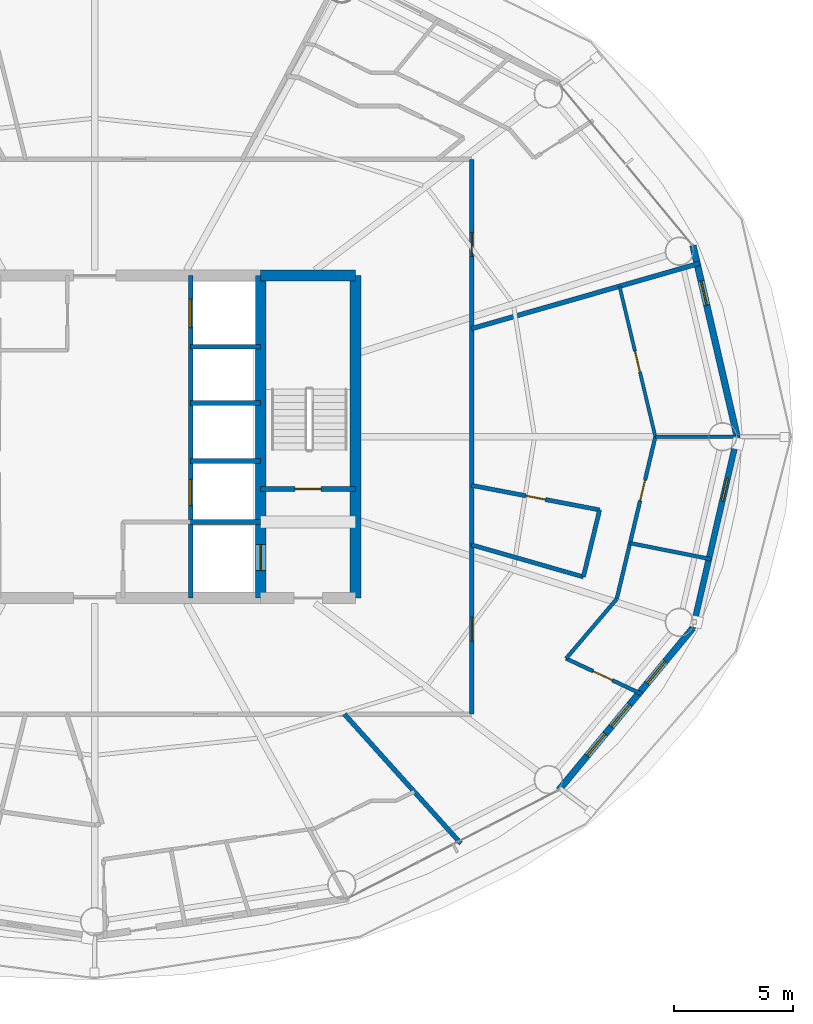
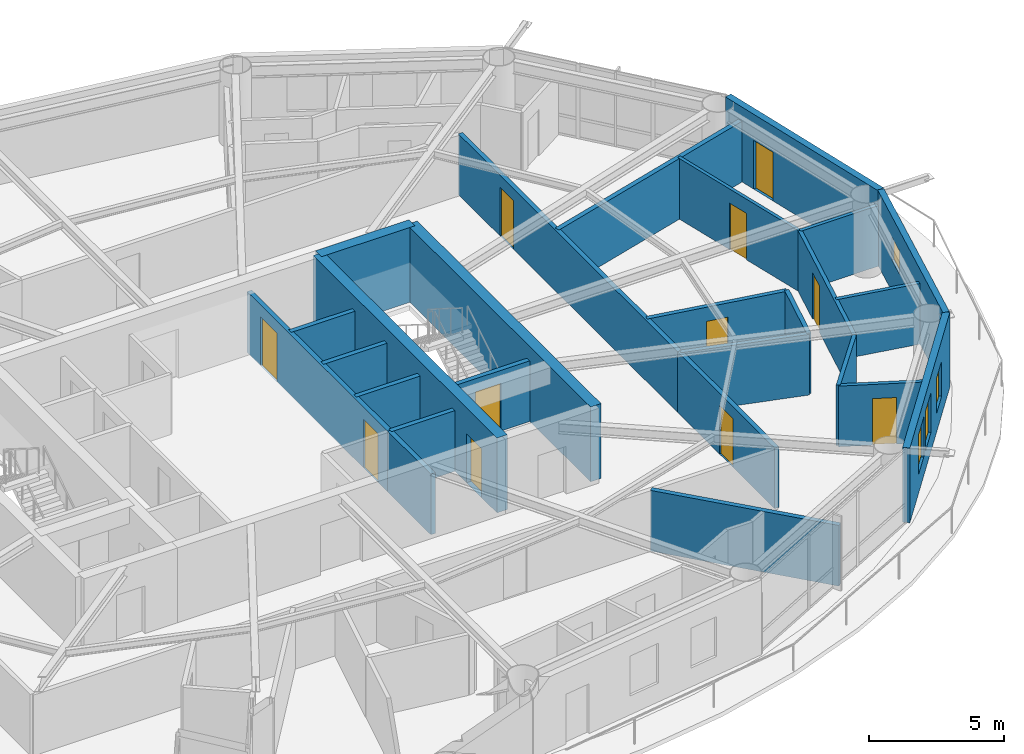
# One storey, part 22 of 27: 26 walls, 11 doors, 4 windows, 15 openings.
"""IFC4 building model written with IfcOpenShell, lengths in metres."""

from ifc_helpers import new_model, si_unit, direction, frame, frame_2d, origin, place, context, subcontext, project, spatial, rectangle, extrude, material, layer, layer_set, type_object, element, fill, save


model = new_model("IFC4")

# Units and contexts
model_context = context("Model", 3, precision=1e-05, world=origin(), true_north=direction((0.0, 1.0)))
body_context = subcontext(model_context, "Body", "Model", "MODEL_VIEW")
ifc_project = project(units=[si_unit("LENGTHUNIT", "METRE"), si_unit("AREAUNIT", "SQUARE_METRE"), si_unit("VOLUMEUNIT", "CUBIC_METRE"), si_unit("PLANEANGLEUNIT", "RADIAN"), si_unit("MASSUNIT", "GRAM", prefix="KILO")], contexts=[model_context])

# Site, building, storey
site_placement = place(None, origin())
site = spatial("IfcSite", under=ifc_project, at=site_placement, CompositionType="ELEMENT")
building_placement = place(site_placement, origin())
building = spatial("IfcBuilding", under=site, at=building_placement, Name="Sarneth Arch Tower", CompositionType="ELEMENT")
storey_placement = place(building_placement, frame((0.0, 0.0, 186.60009765625)))
storey = spatial("IfcBuildingStorey", under=building, at=storey_placement, Name="L47", CompositionType="ELEMENT", Elevation=186.60009765625)

# Walls
ifc_material_1 = material(Name="Concrete C50/60", Category="concrete")
ifc_layer_1 = layer(ifc_material_1, 0.449951171875)
ifc_layer_set_1 = layer_set([ifc_layer_1], Name="Concrete C50/60")
wall_type_1 = type_object("IfcWallType", Name="WALL-CORE-450", PredefinedType="SHEAR", material=ifc_layer_set_1)
wall_1_placement = place(storey_placement, frame((55.0, 48.800048828125, 0.0), z_axis=(0.0, 0.0, 1.0), x_axis=(1.0, 0.0, 0.0)))
element("IfcWall", 1, at=wall_1_placement, inside=storey, type_object=wall_type_1, Name="L47 Core shear wall N-E", PredefinedType="SHEAR", context=body_context, shape_type="SweptSolid", body=[
    extrude(rectangle(XDim=4.0, YDim=0.449951171875, at=frame_2d((2.0, 0.0))), origin(), (0.0, 0.0, 1.0), 3.3798828125),
])
wall_2_placement = place(storey_placement, frame((59.0, 35.199951171875, 0.0), z_axis=(0.0, 0.0, 1.0), x_axis=(0.0, 1.0, 0.0)))
element("IfcWall", 2, at=wall_2_placement, inside=storey, type_object=wall_type_1, Name="L47 Core shear wall E", PredefinedType="SHEAR", context=body_context, shape_type="SweptSolid", body=[
    extrude(rectangle(XDim=13.60009765625, YDim=0.449951171875, at=frame_2d((6.800048828125, 0.0))), origin(), (0.0, 0.0, 1.0), 3.3798828125),
])

# Wall, opening, door
wall_3_placement = place(storey_placement, frame((55.0, 35.199951171875, 0.0), z_axis=(0.0, 0.0, 1.0), x_axis=(0.0, 1.0, 0.0)))
wall_3 = element("IfcWall", 3, at=wall_3_placement, inside=storey, type_object=wall_type_1, Name="L47 Core shear wall WEB-E", PredefinedType="SHEAR", context=body_context, shape_type="SweptSolid", body=[
    extrude(rectangle(XDim=13.60009765625, YDim=0.449951171875, at=frame_2d((6.800048828125, 0.0))), origin(), (0.0, 0.0, 1.0), 3.3798828125),
])
opening_1_placement = place(wall_3_placement, frame((1.14990234375, 0.0, 0.0)))
opening_1 = element("IfcOpeningElement", 4, at=opening_1_placement, cuts=wall_3, Name="Opening LD-1", PredefinedType="OPENING", context=body_context, shape_type="SweptSolid", body=[
    extrude(rectangle(XDim=1.10009765625, YDim=2.199951171875, at=frame_2d((0.550048828125, 1.10009765625))), frame((0.0, 0.23486328125, 0.0), z_axis=(0.0, -1.0, 0.0), x_axis=(1.0, 0.0, 0.0)), (0.0, 0.0, 1.0), 0.469970703125),
])
ifc_material_2 = material(Name="Brushed Stainless Steel 304 lift landing door", Category="steel")
door_type_1 = type_object("IfcDoorType", Name="DR-LIFT-SLIDE-1100", OperationType="SLIDING_TO_LEFT", PredefinedType="DOOR", material=ifc_material_2)
door_1_placement = place(opening_1_placement, origin())
door_1 = element("IfcDoor", 5, at=door_1_placement, inside=storey, type_object=door_type_1, Name="L47 Firefighting lift landing door FL-2", OperationType="SLIDING_TO_RIGHT", OverallHeight=2.199951171875, OverallWidth=1.10009765625, PredefinedType="DOOR", context=body_context, shape_type="SweptSolid", body=[
    extrude(rectangle(XDim=1.10009765625, YDim=2.199951171875, at=frame_2d((0.550048828125, 1.10009765625))), frame((0.0, 0.02490234375, 0.0), z_axis=(0.0, -1.0, 0.0), x_axis=(1.0, 0.0, 0.0)), (0.0, 0.0, 1.0), 0.050048828125),
])
fill(opening_1, door_1)

ifc_material_3 = material(Name="Double steel-stud corridor fire wall", Category="steel")
ifc_layer_2 = layer(ifc_material_3, 0.18994140625)
ifc_layer_set_2 = layer_set([ifc_layer_2], Name="Double steel-stud corridor fire wall")
wall_type_2 = type_object("IfcWallType", Name="WALL-CORR-190", PredefinedType="PARTITIONING", material=ifc_layer_set_2)
wall_4_placement = place(storey_placement, frame((63.89990234375, 53.699951171875, 0.0), z_axis=(0.0, 0.0, 1.0), x_axis=(0.0, -1.0, 0.0)))
wall_4 = element("IfcWall", 6, at=wall_4_placement, inside=storey, type_object=wall_type_2, Name="L47 Interior partition W-L47-TP-002", PredefinedType="PARTITIONING", context=body_context, shape_type="SweptSolid", body=[
    extrude(rectangle(XDim=16.29248046875, YDim=0.18994140625, at=frame_2d((8.146240234375, 0.0))), origin(), (0.0, 0.0, 1.0), 2.739990234375),
])
opening_2_placement = place(wall_4_placement, frame((3.0869140625, 0.0, 0.0)))
opening_2 = element("IfcOpeningElement", 7, at=opening_2_placement, cuts=wall_4, Name="Opening FD-08", PredefinedType="OPENING", context=body_context, shape_type="SweptSolid", body=[
    extrude(rectangle(XDim=1.0, YDim=2.199951171875, at=frame_2d((0.5, 1.10009765625))), frame((0.0, 0.10498046875, 0.0), z_axis=(0.0, -1.0, 0.0), x_axis=(1.0, 0.0, 0.0)), (0.0, 0.0, 1.0), 0.2099609375),
])
ifc_material_4 = material(Name="Hardwood timber acoustic fire door", Category="wood")
door_type_2 = type_object("IfcDoorType", Name="DR-FD60-1000", OperationType="SINGLE_SWING_LEFT", PredefinedType="DOOR", material=ifc_material_4)
door_2_placement = place(opening_2_placement, origin())
door_2 = element("IfcDoor", 8, at=door_2_placement, inside=storey, type_object=door_type_2, Name="L47 Interior door DR-L47-U1-ENT", OperationType="SINGLE_SWING_LEFT", OverallHeight=2.199951171875, OverallWidth=1.0, PredefinedType="DOOR", context=body_context, shape_type="SweptSolid", body=[
    extrude(rectangle(XDim=1.0, YDim=2.199951171875, at=frame_2d((0.5, 1.10009765625))), frame((0.0, 0.02490234375, 0.0), z_axis=(0.0, -1.0, 0.0), x_axis=(1.0, 0.0, 0.0)), (0.0, 0.0, 1.0), 0.050048828125),
])
fill(opening_2, door_2)

wall_5_placement = place(storey_placement, frame((63.89990234375, 37.47412109375, 0.0), z_axis=(0.0, 0.0, 1.0), x_axis=(0.0, -1.0, 0.0)))
wall_5 = element("IfcWall", 9, at=wall_5_placement, inside=storey, type_object=wall_type_2, Name="L47 Interior partition W-L47-TP-018", PredefinedType="PARTITIONING", context=body_context, shape_type="SweptSolid", body=[
    extrude(rectangle(XDim=7.174072265625, YDim=0.18994140625, at=frame_2d((3.5869140625, 0.0))), origin(), (0.0, 0.0, 1.0), 2.739990234375),
])
opening_3_placement = place(wall_5_placement, frame((3.0869140625, 0.0, 0.0)))
opening_3 = element("IfcOpeningElement", 10, at=opening_3_placement, cuts=wall_5, Name="Opening FD-08", PredefinedType="OPENING", context=body_context, shape_type="SweptSolid", body=[
    extrude(rectangle(XDim=1.0, YDim=2.199951171875, at=frame_2d((0.5, 1.10009765625))), frame((0.0, 0.10498046875, 0.0), z_axis=(0.0, -1.0, 0.0), x_axis=(1.0, 0.0, 0.0)), (0.0, 0.0, 1.0), 0.2099609375),
])
door_3_placement = place(opening_3_placement, origin())
door_3 = element("IfcDoor", 11, at=door_3_placement, inside=storey, type_object=door_type_2, Name="L47 Interior door DR-L47-U7-ENT", OperationType="SINGLE_SWING_RIGHT", OverallHeight=2.199951171875, OverallWidth=1.0, PredefinedType="DOOR", context=body_context, shape_type="SweptSolid", body=[
    extrude(rectangle(XDim=1.0, YDim=2.199951171875, at=frame_2d((0.5, 1.10009765625))), frame((0.0, 0.02490234375, 0.0), z_axis=(0.0, -1.0, 0.0), x_axis=(1.0, 0.0, 0.0)), (0.0, 0.0, 1.0), 0.050048828125),
])
fill(opening_3, door_3)

# Wall, opening, window
ifc_material_5 = material(Name="Extruded terracotta rainscreen on Concrete C40/50 backing", Category="masonry")
ifc_layer_3 = layer(ifc_material_5, 0.25)
ifc_layer_set_3 = layer_set([ifc_layer_3], Name="Extruded terracotta rainscreen on Concrete C40/50 backing")
wall_type_3 = type_object("IfcWallType", Name="WALL-EXT-SPAND-250", PredefinedType="SOLIDWALL", material=ifc_layer_set_3)
wall_6_placement = place(storey_placement, frame((73.232421875, 33.93310546875, 0.0), z_axis=(0.0, 0.0, 1.0), x_axis=(0.225473184558, 0.974249374157, 0.0)))
wall_6 = element("IfcWall", 12, at=wall_6_placement, inside=storey, type_object=wall_type_3, Name="L47 Terracotta perimeter wall 16", PredefinedType="SOLIDWALL", context=body_context, shape_type="SweptSolid", body=[
    extrude(rectangle(XDim=8.280029296875, YDim=0.25, at=frame_2d((4.14013671875, 0.0))), origin(), (0.0, 0.0, 1.0), 3.3798828125),
])
opening_4_placement = place(wall_6_placement, frame((5.48388671875, 0.0, 1.419921875)))
opening_4 = element("IfcOpeningElement", 13, at=opening_4_placement, cuts=wall_6, Name="Opening W-14", PredefinedType="OPENING", context=body_context, shape_type="SweptSolid", body=[
    extrude(rectangle(XDim=1.0, YDim=1.050048828125, at=frame_2d((0.5, 0.52490234375))), frame((0.0, 0.135009765625, 0.0), z_axis=(0.0, -1.0, 0.0), x_axis=(1.0, 0.0, 0.0)), (0.0, 0.0, 1.0), 0.27001953125),
])
ifc_material_6 = material(Name="Thermally broken Aluminium 6063-T6 and low-e laminated IGU", Category="aluminium")
window_type_1 = type_object("IfcWindowType", Name="WIN-TWR-1000x1050", PartitioningType="SINGLE_PANEL", PredefinedType="WINDOW", material=ifc_material_6)
window_1_placement = place(opening_4_placement, origin())
window_1 = element("IfcWindow", 14, at=window_1_placement, inside=storey, type_object=window_type_1, Name="L47 Dwelling bedroom window 04", OverallHeight=1.050048828125, OverallWidth=1.0, PartitioningType="SINGLE_PANEL", PredefinedType="WINDOW", context=body_context, shape_type="SweptSolid", body=[
    extrude(rectangle(XDim=1.0, YDim=1.050048828125, at=frame_2d((0.5, 0.52490234375))), frame((0.0, 0.030029296875, 0.0), z_axis=(0.0, -1.0, 0.0), x_axis=(1.0, 0.0, 0.0)), (0.0, 0.0, 1.0), 0.06005859375),
])
fill(opening_4, window_1)

# Wall, opening, door
ifc_material_7 = material(Name="Extruded terracotta rainscreen on Concrete C40/50 backing", Category="masonry")
ifc_layer_4 = layer(ifc_material_7, 0.280029296875)
ifc_layer_set_4 = layer_set([ifc_layer_4], Name="Extruded terracotta rainscreen on Concrete C40/50 backing")
wall_type_4 = type_object("IfcWallType", Name="WALL-EXT-TERRA-280", PredefinedType="SOLIDWALL", material=ifc_layer_set_4)
wall_7_placement = place(storey_placement, frame((75.099365234375, 42.0, 0.0), z_axis=(0.0, 0.0, 1.0), x_axis=(-0.225473184558, 0.974249374157, 0.0)))
wall_7 = element("IfcWall", 15, at=wall_7_placement, inside=storey, type_object=wall_type_4, Name="L47 Terracotta perimeter wall 01", PredefinedType="SOLIDWALL", context=body_context, shape_type="SweptSolid", body=[
    extrude(rectangle(XDim=8.280029296875, YDim=0.280029296875, at=frame_2d((4.14013671875, 0.0))), origin(), (0.0, 0.0, 1.0), 3.3798828125),
])
opening_5_placement = place(wall_7_placement, frame((5.69384765625, 0.0, 0.0)))
opening_5 = element("IfcOpeningElement", 16, at=opening_5_placement, cuts=wall_7, Name="Opening BD-4", PredefinedType="OPENING", context=body_context, shape_type="SweptSolid", body=[
    extrude(rectangle(XDim=1.050048828125, YDim=2.199951171875, at=frame_2d((0.52490234375, 1.10009765625))), frame((0.0, 0.14990234375, 0.0), z_axis=(0.0, -1.0, 0.0), x_axis=(1.0, 0.0, 0.0)), (0.0, 0.0, 1.0), 0.300048828125),
])
ifc_material_8 = material(Name="Thermally broken Aluminium 6063-T6 and laminated safety glass", Category="aluminium")
door_type_3 = type_object("IfcDoorType", Name="DR-BALC-GLZ-1050", OperationType="SINGLE_SWING_RIGHT", PredefinedType="DOOR", material=ifc_material_8)
door_4_placement = place(opening_5_placement, origin())
door_4 = element("IfcDoor", 17, at=door_4_placement, inside=storey, type_object=door_type_3, Name="L47 Balcony glazed door 01", OperationType="SINGLE_SWING_RIGHT", OverallHeight=2.199951171875, OverallWidth=1.050048828125, PredefinedType="DOOR", context=body_context, shape_type="SweptSolid", body=[
    extrude(rectangle(XDim=1.050048828125, YDim=2.199951171875, at=frame_2d((0.52490234375, 1.10009765625))), frame((0.0, 0.02490234375, 0.0), z_axis=(0.0, -1.0, 0.0), x_axis=(1.0, 0.0, 0.0)), (0.0, 0.0, 1.0), 0.050048828125),
])
fill(opening_5, door_4)

# Wall, openings, windows
wall_8_placement = place(storey_placement, frame((67.576171875, 27.09423828125, 0.0), z_axis=(0.0, 0.0, 1.0), x_axis=(0.637333477683, 0.770588111915, 0.0)))
wall_8 = element("IfcWall", 18, at=wall_8_placement, inside=storey, type_object=wall_type_4, Name="L47 Terracotta perimeter wall 15", PredefinedType="SOLIDWALL", context=body_context, shape_type="SweptSolid", body=[
    extrude(rectangle(XDim=8.874755859375, YDim=0.280029296875, at=frame_2d((4.4375, 0.0))), origin(), (0.0, 0.0, 1.0), 3.3798828125),
])
opening_6_placement = place(wall_8_placement, frame((1.875244140625, 0.0, 0.85009765625)))
opening_6 = element("IfcOpeningElement", 19, at=opening_6_placement, cuts=wall_8, Name="Opening W-09", PredefinedType="OPENING", context=body_context, shape_type="SweptSolid", body=[
    extrude(rectangle(XDim=1.199951171875, YDim=1.800048828125, at=frame_2d((0.60009765625, 0.89990234375))), frame((0.0, 0.14990234375, 0.0), z_axis=(0.0, -1.0, 0.0), x_axis=(1.0, 0.0, 0.0)), (0.0, 0.0, 1.0), 0.300048828125),
])
opening_7_placement = place(wall_8_placement, frame((3.489013671875, 0.0, 0.85009765625)))
opening_7 = element("IfcOpeningElement", 20, at=opening_7_placement, cuts=wall_8, Name="Opening W-09", PredefinedType="OPENING", context=body_context, shape_type="SweptSolid", body=[
    extrude(rectangle(XDim=1.199951171875, YDim=1.800048828125, at=frame_2d((0.60009765625, 0.89990234375))), frame((0.0, 0.14990234375, 0.0), z_axis=(0.0, -1.0, 0.0), x_axis=(1.0, 0.0, 0.0)), (0.0, 0.0, 1.0), 0.300048828125),
])
opening_8_placement = place(wall_8_placement, frame((5.85009765625, 0.0, 0.85009765625)))
opening_8 = element("IfcOpeningElement", 21, at=opening_8_placement, cuts=wall_8, Name="Opening W-10", PredefinedType="OPENING", context=body_context, shape_type="SweptSolid", body=[
    extrude(rectangle(XDim=1.199951171875, YDim=1.60009765625, at=frame_2d((0.60009765625, 0.800048828125))), frame((0.0, 0.14990234375, 0.0), z_axis=(0.0, -1.0, 0.0), x_axis=(1.0, 0.0, 0.0)), (0.0, 0.0, 1.0), 0.300048828125),
])
ifc_material_9 = material(Name="Thermally broken Aluminium 6063-T6 and low-e laminated IGU", Category="aluminium")
window_type_2 = type_object("IfcWindowType", Name="WIN-TWR-1200x1600", PartitioningType="SINGLE_PANEL", PredefinedType="WINDOW", material=ifc_material_9)
window_2_placement = place(opening_8_placement, origin())
window_2 = element("IfcWindow", 22, at=window_2_placement, inside=storey, type_object=window_type_2, Name="L47 Exterior window 15C", OverallHeight=1.60009765625, OverallWidth=1.199951171875, PartitioningType="SINGLE_PANEL", PredefinedType="WINDOW", context=body_context, shape_type="SweptSolid", body=[
    extrude(rectangle(XDim=1.199951171875, YDim=1.60009765625, at=frame_2d((0.60009765625, 0.800048828125))), frame((0.0, 0.030029296875, 0.0), z_axis=(0.0, -1.0, 0.0), x_axis=(1.0, 0.0, 0.0)), (0.0, 0.0, 1.0), 0.06005859375),
])
fill(opening_8, window_2)
ifc_material_10 = material(Name="Thermally broken Aluminium 6063-T6 and low-e laminated IGU", Category="aluminium")
window_type_3 = type_object("IfcWindowType", Name="WIN-TWR-1200x1800", PartitioningType="SINGLE_PANEL", PredefinedType="WINDOW", material=ifc_material_10)
window_3_placement = place(opening_6_placement, origin())
window_3 = element("IfcWindow", 23, at=window_3_placement, inside=storey, type_object=window_type_3, Name="L47 Exterior window 15A", OverallHeight=1.800048828125, OverallWidth=1.199951171875, PartitioningType="SINGLE_PANEL", PredefinedType="WINDOW", context=body_context, shape_type="SweptSolid", body=[
    extrude(rectangle(XDim=1.199951171875, YDim=1.800048828125, at=frame_2d((0.60009765625, 0.89990234375))), frame((0.0, 0.030029296875, 0.0), z_axis=(0.0, -1.0, 0.0), x_axis=(1.0, 0.0, 0.0)), (0.0, 0.0, 1.0), 0.06005859375),
])
fill(opening_6, window_3)
window_4_placement = place(opening_7_placement, origin())
window_4 = element("IfcWindow", 24, at=window_4_placement, inside=storey, type_object=window_type_3, Name="L47 Exterior window 15B", OverallHeight=1.800048828125, OverallWidth=1.199951171875, PartitioningType="SINGLE_PANEL", PredefinedType="WINDOW", context=body_context, shape_type="SweptSolid", body=[
    extrude(rectangle(XDim=1.199951171875, YDim=1.800048828125, at=frame_2d((0.60009765625, 0.89990234375))), frame((0.0, 0.030029296875, 0.0), z_axis=(0.0, -1.0, 0.0), x_axis=(1.0, 0.0, 0.0)), (0.0, 0.0, 1.0), 0.06005859375),
])
fill(opening_7, window_4)

# Wall, opening, door
ifc_material_11 = material(Name="Apartment internal stud partition", Category="gypsum")
ifc_layer_5 = layer(ifc_material_11, 0.139892578125)
ifc_layer_set_5 = layer_set([ifc_layer_5], Name="Apartment internal stud partition")
wall_type_5 = type_object("IfcWallType", Name="WALL-PART-140", PredefinedType="PARTITIONING", material=ifc_layer_set_5)
wall_9_placement = place(storey_placement, frame((71.648681640625, 42.0, 0.0), z_axis=(0.0, 0.0, 1.0), x_axis=(-0.231639074409, 0.972801798522, 0.0)))
wall_9 = element("IfcWall", 25, at=wall_9_placement, inside=storey, type_object=wall_type_5, Name="L47 Interior partition W-L47-TP-095", PredefinedType="PARTITIONING", context=body_context, shape_type="SweptSolid", body=[
    extrude(rectangle(XDim=6.525146484375, YDim=0.139892578125, at=frame_2d((3.2626953125, 0.0))), origin(), (0.0, 0.0, 1.0), 2.739990234375),
])
opening_9_placement = place(wall_9_placement, frame((2.8125, 0.0, 0.0)))
opening_9 = element("IfcOpeningElement", 26, at=opening_9_placement, cuts=wall_9, Name="Opening ID-01", PredefinedType="OPENING", context=body_context, shape_type="SweptSolid", body=[
    extrude(rectangle(XDim=0.89990234375, YDim=2.10009765625, at=frame_2d((0.449951171875, 1.050048828125))), frame((0.0, 0.079833984375, 0.0), z_axis=(0.0, -1.0, 0.0), x_axis=(1.0, 0.0, 0.0)), (0.0, 0.0, 1.0), 0.159912109375),
])
ifc_material_12 = material(Name="Engineered hardwood flush door", Category="wood")
door_type_4 = type_object("IfcDoorType", Name="DR-INT-900", OperationType="SINGLE_SWING_LEFT", PredefinedType="DOOR", material=ifc_material_12)
door_5_placement = place(opening_9_placement, origin())
door_5 = element("IfcDoor", 27, at=door_5_placement, inside=storey, type_object=door_type_4, Name="L47 Interior door DR-L47-U7-BED2", OperationType="SINGLE_SWING_LEFT", OverallHeight=2.10009765625, OverallWidth=0.89990234375, PredefinedType="DOOR", context=body_context, shape_type="SweptSolid", body=[
    extrude(rectangle(XDim=0.89990234375, YDim=2.10009765625, at=frame_2d((0.449951171875, 1.050048828125))), frame((0.0, 0.02490234375, 0.0), z_axis=(0.0, -1.0, 0.0), x_axis=(1.0, 0.0, 0.0)), (0.0, 0.0, 1.0), 0.050048828125),
])
fill(opening_9, door_5)

# Wall
ifc_material_13 = material(Name="Acoustic gypsum stud partition", Category="gypsum")
ifc_layer_6 = layer(ifc_material_13, 0.14990234375)
ifc_layer_set_6 = layer_set([ifc_layer_6], Name="Acoustic gypsum stud partition")
wall_type_6 = type_object("IfcWallType", Name="WALL-PART-150", PredefinedType="PARTITIONING", material=ifc_layer_set_6)
wall_10_placement = place(storey_placement, frame((75.219482421875, 42.0, 0.0), z_axis=(0.0, 0.0, 1.0), x_axis=(-1.0, 0.0, 0.0)))
element("IfcWall", 28, at=wall_10_placement, inside=storey, type_object=wall_type_6, Name="L47 Interior partition W-L47-TP-097", PredefinedType="PARTITIONING", context=body_context, shape_type="SweptSolid", body=[
    extrude(rectangle(XDim=3.57080078125, YDim=0.14990234375, at=frame_2d((1.785400390625, 0.0))), origin(), (0.0, 0.0, 1.0), 2.739990234375),
])

# Wall, opening, door
ifc_material_14 = material(Name="Kitchen wet service chase wall", Category="gypsum")
ifc_layer_7 = layer(ifc_material_14, 0.159912109375)
ifc_layer_set_7 = layer_set([ifc_layer_7], Name="Kitchen wet service chase wall")
wall_type_7 = type_object("IfcWallType", Name="WALL-PLUMB-160", PredefinedType="PLUMBINGWALL", material=ifc_layer_set_7)
wall_11_placement = place(storey_placement, frame((71.648681640625, 42.0, 0.0), z_axis=(0.0, 0.0, 1.0), x_axis=(-0.231625219966, -0.972805097373, 0.0)))
wall_11 = element("IfcWall", 29, at=wall_11_placement, inside=storey, type_object=wall_type_7, Name="L47 Interior partition W-L47-TP-094", PredefinedType="PLUMBINGWALL", context=body_context, shape_type="SweptSolid", body=[
    extrude(rectangle(XDim=7.033447265625, YDim=0.159912109375, at=frame_2d((3.5166015625, 0.0))), origin(), (0.0, 0.0, 1.0), 2.739990234375),
])
opening_10_placement = place(wall_11_placement, frame((1.87109375, 0.0, 0.0)))
opening_10 = element("IfcOpeningElement", 30, at=opening_10_placement, cuts=wall_11, Name="Opening ID-01", PredefinedType="OPENING", context=body_context, shape_type="SweptSolid", body=[
    extrude(rectangle(XDim=0.89990234375, YDim=2.10009765625, at=frame_2d((0.449951171875, 1.050048828125))), frame((0.0, 0.08984375, 0.0), z_axis=(0.0, -1.0, 0.0), x_axis=(1.0, 0.0, 0.0)), (0.0, 0.0, 1.0), 0.179931640625),
])
door_6_placement = place(opening_10_placement, origin())
door_6 = element("IfcDoor", 31, at=door_6_placement, inside=storey, type_object=door_type_4, Name="L47 Interior door DR-L47-U7-BED1", OperationType="SINGLE_SWING_RIGHT", OverallHeight=2.10009765625, OverallWidth=0.89990234375, PredefinedType="DOOR", context=body_context, shape_type="SweptSolid", body=[
    extrude(rectangle(XDim=0.89990234375, YDim=2.10009765625, at=frame_2d((0.449951171875, 1.050048828125))), frame((0.0, 0.02490234375, 0.0), z_axis=(0.0, -1.0, 0.0), x_axis=(1.0, 0.0, 0.0)), (0.0, 0.0, 1.0), 0.050048828125),
])
fill(opening_10, door_6)

wall_12_placement = place(storey_placement, frame((67.88330078125, 32.647216796875, 0.0), z_axis=(0.0, 0.0, 1.0), x_axis=(0.904904903403, -0.425613810628, 0.0)))
wall_12 = element("IfcWall", 32, at=wall_12_placement, inside=storey, type_object=wall_type_7, Name="L47 Interior partition W-L47-TP-090", PredefinedType="PLUMBINGWALL", context=body_context, shape_type="SweptSolid", body=[
    extrude(rectangle(XDim=3.529541015625, YDim=0.159912109375, at=frame_2d((1.7646484375, 0.0))), origin(), (0.0, 0.0, 1.0), 2.739990234375),
])
opening_11_placement = place(wall_12_placement, frame((1.2548828125, 0.0, 0.0)))
opening_11 = element("IfcOpeningElement", 33, at=opening_11_placement, cuts=wall_12, Name="Opening ID-01", PredefinedType="OPENING", context=body_context, shape_type="SweptSolid", body=[
    extrude(rectangle(XDim=0.89990234375, YDim=2.10009765625, at=frame_2d((0.449951171875, 1.050048828125))), frame((0.0, 0.08984375, 0.0), z_axis=(0.0, -1.0, 0.0), x_axis=(1.0, 0.0, 0.0)), (0.0, 0.0, 1.0), 0.179931640625),
])
door_7_placement = place(opening_11_placement, origin())
door_7 = element("IfcDoor", 34, at=door_7_placement, inside=storey, type_object=door_type_4, Name="L47 Interior door DR-L47-U7-KIT", OperationType="SINGLE_SWING_RIGHT", OverallHeight=2.10009765625, OverallWidth=0.89990234375, PredefinedType="DOOR", context=body_context, shape_type="SweptSolid", body=[
    extrude(rectangle(XDim=0.89990234375, YDim=2.10009765625, at=frame_2d((0.449951171875, 1.050048828125))), frame((0.0, 0.02490234375, 0.0), z_axis=(0.0, -1.0, 0.0), x_axis=(1.0, 0.0, 0.0)), (0.0, 0.0, 1.0), 0.050048828125),
])
fill(opening_11, door_7)

# Walls
wall_13_placement = place(storey_placement, frame((74.026123046875, 36.83056640625, 0.0), z_axis=(0.0, 0.0, 1.0), x_axis=(-0.980839121604, 0.194819448544, 0.0)))
element("IfcWall", 35, at=wall_13_placement, inside=storey, type_object=wall_type_7, Name="L47 Interior partition W-L47-TP-096", PredefinedType="PLUMBINGWALL", context=body_context, shape_type="SweptSolid", body=[
    extrude(rectangle(XDim=3.5126953125, YDim=0.159912109375, at=frame_2d((1.75634765625, 0.0))), origin(), (0.0, 0.0, 1.0), 2.739990234375),
])
wall_14_placement = place(storey_placement, frame((70.01953125, 35.15771484375, 0.0), z_axis=(0.0, 0.0, 1.0), x_axis=(-0.648054655451, -0.761593831086, 0.0)))
element("IfcWall", 36, at=wall_14_placement, inside=storey, type_object=wall_type_7, Name="L47 Interior partition W-L47-TP-089", PredefinedType="PLUMBINGWALL", context=body_context, shape_type="SweptSolid", body=[
    extrude(rectangle(XDim=3.29638671875, YDim=0.159912109375, at=frame_2d((1.648193359375, 0.0))), origin(), (0.0, 0.0, 1.0), 2.739990234375),
])

# Wall, opening, door
ifc_material_15 = material(Name="Moisture-resistant plumbing chase wall", Category="gypsum")
ifc_layer_8 = layer(ifc_material_15, 0.179931640625)
ifc_layer_set_8 = layer_set([ifc_layer_8], Name="Moisture-resistant plumbing chase wall")
wall_type_8 = type_object("IfcWallType", Name="WALL-PLUMB-180", PredefinedType="PLUMBINGWALL", material=ifc_layer_set_8)
wall_15_placement = place(storey_placement, frame((69.297119140625, 38.91357421875, 0.0), z_axis=(0.0, 0.0, 1.0), x_axis=(-0.982108019882, 0.188318446478, 0.0)))
wall_15 = element("IfcWall", 37, at=wall_15_placement, inside=storey, type_object=wall_type_8, Name="L47 Interior partition W-L47-TP-093", PredefinedType="PLUMBINGWALL", context=body_context, shape_type="SweptSolid", body=[
    extrude(rectangle(XDim=5.49560546875, YDim=0.179931640625, at=frame_2d((2.747802734375, 0.0))), origin(), (0.0, 0.0, 1.0), 2.739990234375),
])
opening_12_placement = place(wall_15_placement, frame((2.32275390625, 0.0, 0.0)))
opening_12 = element("IfcOpeningElement", 38, at=opening_12_placement, cuts=wall_15, Name="Opening ID-02", PredefinedType="OPENING", context=body_context, shape_type="SweptSolid", body=[
    extrude(rectangle(XDim=0.85009765625, YDim=2.10009765625, at=frame_2d((0.425048828125, 1.050048828125))), frame((0.0, 0.099853515625, 0.0), z_axis=(0.0, -1.0, 0.0), x_axis=(1.0, 0.0, 0.0)), (0.0, 0.0, 1.0), 0.199951171875),
])
ifc_material_16 = material(Name="Moisture-resistant bathroom timber door", Category="wood")
door_type_5 = type_object("IfcDoorType", Name="DR-INT-850", OperationType="SINGLE_SWING_RIGHT", PredefinedType="DOOR", material=ifc_material_16)
door_8_placement = place(opening_12_placement, origin())
door_8 = element("IfcDoor", 39, at=door_8_placement, inside=storey, type_object=door_type_5, Name="L47 Interior door DR-L47-U7-BATH", OperationType="SINGLE_SWING_LEFT", OverallHeight=2.10009765625, OverallWidth=0.85009765625, PredefinedType="DOOR", context=body_context, shape_type="SweptSolid", body=[
    extrude(rectangle(XDim=0.85009765625, YDim=2.10009765625, at=frame_2d((0.425048828125, 1.050048828125))), frame((0.0, 0.02490234375, 0.0), z_axis=(0.0, -1.0, 0.0), x_axis=(1.0, 0.0, 0.0)), (0.0, 0.0, 1.0), 0.050048828125),
])
fill(opening_12, door_8)

# Walls
wall_16_placement = place(storey_placement, frame((63.89990234375, 37.440673828125, 0.0), z_axis=(0.0, 0.0, 1.0), x_axis=(0.961266088446, -0.27562203686, 0.0)))
element("IfcWall", 40, at=wall_16_placement, inside=storey, type_object=wall_type_8, Name="L47 Interior partition W-L47-TP-091", PredefinedType="PLUMBINGWALL", context=body_context, shape_type="SweptSolid", body=[
    extrude(rectangle(XDim=4.90283203125, YDim=0.179931640625, at=frame_2d((2.451416015625, 0.0))), origin(), (0.0, 0.0, 1.0), 2.739990234375),
])
wall_17_placement = place(storey_placement, frame((68.61279296875, 36.08935546875, 0.0), z_axis=(0.0, 0.0, 1.0), x_axis=(0.235491818528, 0.971876331334, 0.0)))
element("IfcWall", 41, at=wall_17_placement, inside=storey, type_object=wall_type_8, Name="L47 Interior partition W-L47-TP-092", PredefinedType="PLUMBINGWALL", context=body_context, shape_type="SweptSolid", body=[
    extrude(rectangle(XDim=2.906005859375, YDim=0.179931640625, at=frame_2d((1.453125, 0.0))), origin(), (0.0, 0.0, 1.0), 2.739990234375),
])

# Wall, opening, door
ifc_material_17 = material(Name="Aerated concrete blockwork C25/30", Category="masonry")
ifc_layer_9 = layer(ifc_material_17, 0.199951171875)
ifc_layer_set_9 = layer_set([ifc_layer_9], Name="Aerated concrete blockwork C25/30")
wall_type_9 = type_object("IfcWallType", Name="WALL-SHAFT-200", PredefinedType="SOLIDWALL", material=ifc_layer_set_9)
wall_18_placement = place(storey_placement, frame((55.0, 39.800048828125, 0.0), z_axis=(0.0, 0.0, 1.0), x_axis=(1.0, 0.0, 0.0)))
wall_18 = element("IfcWall", 42, at=wall_18_placement, inside=storey, type_object=wall_type_9, Name="L47 Interior partition W-L47-ST2-S", PredefinedType="SOLIDWALL", context=body_context, shape_type="SweptSolid", body=[
    extrude(rectangle(XDim=4.0, YDim=0.199951171875, at=frame_2d((2.0, 0.0))), origin(), (0.0, 0.0, 1.0), 2.739990234375),
])
opening_13_placement = place(wall_18_placement, frame((1.449951171875, 0.0, 0.0)))
opening_13 = element("IfcOpeningElement", 43, at=opening_13_placement, cuts=wall_18, Name="Opening FD-03", PredefinedType="OPENING", context=body_context, shape_type="SweptSolid", body=[
    extrude(rectangle(XDim=1.10009765625, YDim=2.14990234375, at=frame_2d((0.550048828125, 1.074951171875))), frame((0.0, 0.10986328125, 0.0), z_axis=(0.0, -1.0, 0.0), x_axis=(1.0, 0.0, 0.0)), (0.0, 0.0, 1.0), 0.219970703125),
])
ifc_material_18 = material(Name="Galvanised Steel S275 fire door set", Category="steel")
door_type_6 = type_object("IfcDoorType", Name="DR-FD90-1100", OperationType="SINGLE_SWING_LEFT", PredefinedType="DOOR", material=ifc_material_18)
door_9_placement = place(opening_13_placement, origin())
door_9 = element("IfcDoor", 44, at=door_9_placement, inside=storey, type_object=door_type_6, Name="L47 Interior door DR-L47-ST2", OperationType="SINGLE_SWING_RIGHT", OverallHeight=2.14990234375, OverallWidth=1.10009765625, PredefinedType="DOOR", context=body_context, shape_type="SweptSolid", body=[
    extrude(rectangle(XDim=1.10009765625, YDim=2.14990234375, at=frame_2d((0.550048828125, 1.074951171875))), frame((0.0, 0.02490234375, 0.0), z_axis=(0.0, -1.0, 0.0), x_axis=(1.0, 0.0, 0.0)), (0.0, 0.0, 1.0), 0.050048828125),
])
fill(opening_13, door_9)

# Walls
wall_19_placement = place(storey_placement, frame((52.050048828125, 35.199951171875, 0.0), z_axis=(0.0, 0.0, 1.0), x_axis=(0.0, 1.0, 0.0)))
element("IfcWall", 45, at=wall_19_placement, inside=storey, type_object=wall_type_9, Name="L47 Interior partition W-L47-FL2-W", PredefinedType="SOLIDWALL", context=body_context, shape_type="SweptSolid", body=[
    extrude(rectangle(XDim=3.199951171875, YDim=0.199951171875, at=frame_2d((1.60009765625, 0.0))), origin(), (0.0, 0.0, 1.0), 2.739990234375),
])
wall_20_placement = place(storey_placement, frame((52.050048828125, 38.39990234375, 0.0), z_axis=(0.0, 0.0, 1.0), x_axis=(1.0, 0.0, 0.0)))
element("IfcWall", 46, at=wall_20_placement, inside=storey, type_object=wall_type_9, Name="L47 Interior partition W-L47-FL2-N", PredefinedType="SOLIDWALL", context=body_context, shape_type="SweptSolid", body=[
    extrude(rectangle(XDim=2.949951171875, YDim=0.199951171875, at=frame_2d((1.47509765625, 0.0))), origin(), (0.0, 0.0, 1.0), 2.739990234375),
])

# Wall, openings, doors
wall_21_placement = place(storey_placement, frame((52.050048828125, 38.39990234375, 0.0), z_axis=(0.0, 0.0, 1.0), x_axis=(0.0, 1.0, 0.0)))
wall_21 = element("IfcWall", 47, at=wall_21_placement, inside=storey, type_object=wall_type_9, Name="L47 Interior partition W-L47-EASTBANK-FRONT", PredefinedType="SOLIDWALL", context=body_context, shape_type="SweptSolid", body=[
    extrude(rectangle(XDim=10.400146484375, YDim=0.199951171875, at=frame_2d((5.2001953125, 0.0))), origin(), (0.0, 0.0, 1.0), 2.739990234375),
])
opening_14_placement = place(wall_21_placement, frame((0.699951171875, 0.0, 0.0)))
opening_14 = element("IfcOpeningElement", 48, at=opening_14_placement, cuts=wall_21, Name="Opening LD-1", PredefinedType="OPENING", context=body_context, shape_type="SweptSolid", body=[
    extrude(rectangle(XDim=1.10009765625, YDim=2.199951171875, at=frame_2d((0.550048828125, 1.10009765625))), frame((0.0, 0.10986328125, 0.0), z_axis=(0.0, -1.0, 0.0), x_axis=(1.0, 0.0, 0.0)), (0.0, 0.0, 1.0), 0.219970703125),
])
opening_15_placement = place(wall_21_placement, frame((8.199951171875, 0.0, 0.0)))
opening_15 = element("IfcOpeningElement", 49, at=opening_15_placement, cuts=wall_21, Name="Opening LD-2", PredefinedType="OPENING", context=body_context, shape_type="SweptSolid", body=[
    extrude(rectangle(XDim=1.199951171875, YDim=2.199951171875, at=frame_2d((0.60009765625, 1.10009765625))), frame((0.0, 0.10986328125, 0.0), z_axis=(0.0, -1.0, 0.0), x_axis=(1.0, 0.0, 0.0)), (0.0, 0.0, 1.0), 0.219970703125),
])
door_10_placement = place(opening_14_placement, origin())
door_10 = element("IfcDoor", 50, at=door_10_placement, inside=storey, type_object=door_type_1, Name="L47 Lift landing door DR-L47-LD-PM2", OperationType="SLIDING_TO_LEFT", OverallHeight=2.199951171875, OverallWidth=1.10009765625, PredefinedType="DOOR", context=body_context, shape_type="SweptSolid", body=[
    extrude(rectangle(XDim=1.10009765625, YDim=2.199951171875, at=frame_2d((0.550048828125, 1.10009765625))), frame((0.0, 0.02490234375, 0.0), z_axis=(0.0, -1.0, 0.0), x_axis=(1.0, 0.0, 0.0)), (0.0, 0.0, 1.0), 0.050048828125),
])
fill(opening_14, door_10)
ifc_material_19 = material(Name="Brushed Stainless Steel 304 service lift door", Category="steel")
door_type_7 = type_object("IfcDoorType", Name="DR-LIFT-SLIDE-1200", OperationType="SLIDING_TO_RIGHT", PredefinedType="DOOR", material=ifc_material_19)
door_11_placement = place(opening_15_placement, origin())
door_11 = element("IfcDoor", 51, at=door_11_placement, inside=storey, type_object=door_type_7, Name="L47 Lift landing door DR-L47-LD-SL1", OperationType="SLIDING_TO_RIGHT", OverallHeight=2.199951171875, OverallWidth=1.199951171875, PredefinedType="DOOR", context=body_context, shape_type="SweptSolid", body=[
    extrude(rectangle(XDim=1.199951171875, YDim=2.199951171875, at=frame_2d((0.60009765625, 1.10009765625))), frame((0.0, 0.02490234375, 0.0), z_axis=(0.0, -1.0, 0.0), x_axis=(1.0, 0.0, 0.0)), (0.0, 0.0, 1.0), 0.050048828125),
])
fill(opening_15, door_11)

# Walls
for number, where, z_axis, x_axis, name in (
    (52, (52.050048828125, 40.97998046875, 0.0), (0.0, 0.0, 1.0), (1.0, 0.0, 0.0), "L47 Interior partition W-L47-EB-DIV-4098"),
    (53, (52.050048828125, 43.419921875, 0.0), (0.0, 0.0, 1.0), (1.0, 0.0, 0.0), "L47 Interior partition W-L47-EB-DIV-4342"),
    (54, (52.050048828125, 45.800048828125, 0.0), (0.0, 0.0, 1.0), (1.0, 0.0, 0.0), "L47 Interior partition W-L47-EB-DIV-4580"),
):
    element("IfcWall", number, at=place(storey_placement, frame(where, z_axis=z_axis, x_axis=x_axis)), inside=storey, type_object=wall_type_9, Name=name, PredefinedType="SOLIDWALL", context=body_context, shape_type="SweptSolid", body=[
        extrude(rectangle(XDim=2.949951171875, YDim=0.199951171875, at=frame_2d((1.47509765625, 0.0))), origin(), (0.0, 0.0, 1.0), 2.739990234375),
    ])
ifc_material_20 = material(Name="Double steel-stud acoustic drywall", Category="steel")
ifc_layer_10 = layer(ifc_material_20, 0.199951171875)
ifc_layer_set_10 = layer_set([ifc_layer_10], Name="Double steel-stud acoustic drywall")
wall_type_10 = type_object("IfcWallType", Name="WALL-UNIT-200", PredefinedType="PARTITIONING", material=ifc_layer_set_10)
wall_22_placement = place(storey_placement, frame((73.5283203125, 49.320068359375, 0.0), z_axis=(0.0, 0.0, 1.0), x_axis=(-0.961265987417, -0.275622389211, 0.0)))
element("IfcWall", 55, at=wall_22_placement, inside=storey, type_object=wall_type_10, Name="L47 Interior partition W-L47-TP-035", PredefinedType="PARTITIONING", context=body_context, shape_type="SweptSolid", body=[
    extrude(rectangle(XDim=10.016357421875, YDim=0.199951171875, at=frame_2d((5.00830078125, 0.0))), origin(), (0.0, 0.0, 1.0), 2.739990234375),
])
wall_23_placement = place(storey_placement, frame((63.4453125, 24.845947265625, 0.0), z_axis=(0.0, 0.0, 1.0), x_axis=(-0.669111750453, 0.743161802979, 0.0)))
element("IfcWall", 56, at=wall_23_placement, inside=storey, type_object=wall_type_10, Name="L47 Interior partition W-L47-TP-083", PredefinedType="PARTITIONING", context=body_context, shape_type="SweptSolid", body=[
    extrude(rectangle(XDim=7.339111328125, YDim=0.199951171875, at=frame_2d((3.66943359375, 0.0))), origin(), (0.0, 0.0, 1.0), 2.739990234375),
])

save(model, "model.ifc")
